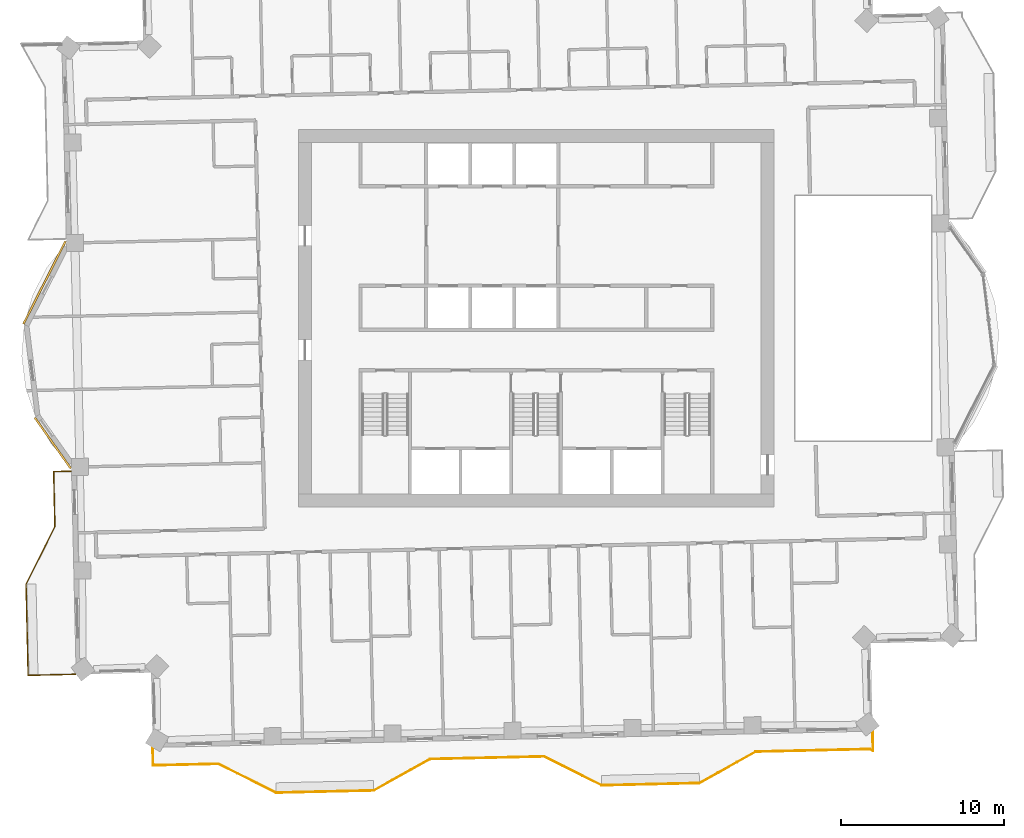
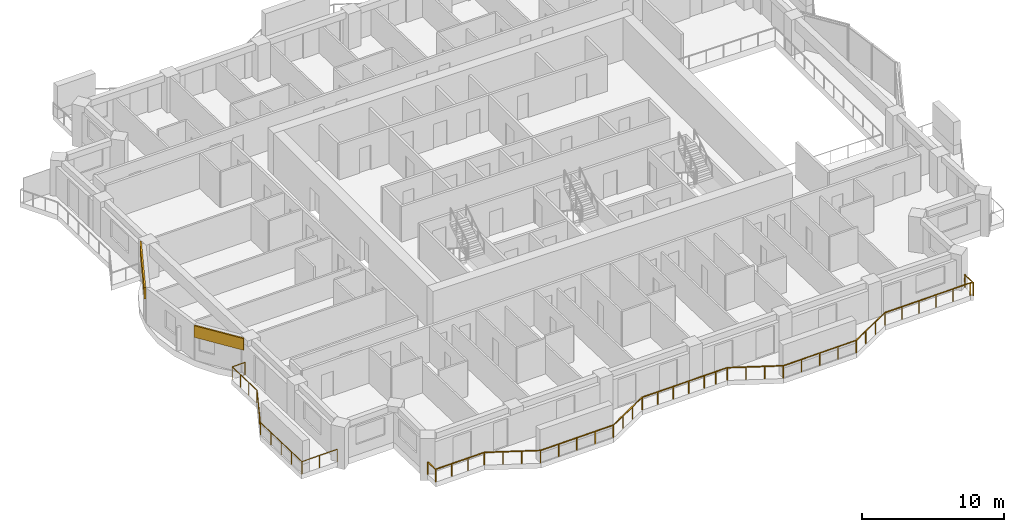
# One storey, part 14 of 17: 2 coverings, 2 railings.
"""IFC4 building model written with IfcOpenShell, lengths in metres."""

from ifc_helpers import new_model, si_unit, direction, frame, frame_2d, origin, origin_2d, place, context, subcontext, project, spatial, rectangle, extrude, material, layer, layer_set, type_object, element, save


model = new_model("IFC4")

# Units and contexts
model_context = context("Model", 3, precision=1e-05, world=origin(), true_north=direction((0.0, 1.0)))
body_context = subcontext(model_context, "Body", "Model", "MODEL_VIEW")
ifc_project = project(units=[si_unit("LENGTHUNIT", "METRE"), si_unit("AREAUNIT", "SQUARE_METRE"), si_unit("VOLUMEUNIT", "CUBIC_METRE"), si_unit("PLANEANGLEUNIT", "RADIAN"), si_unit("MASSUNIT", "GRAM", prefix="KILO")], contexts=[model_context])

# Site, building, storey
site_placement = place(None, origin())
site = spatial("IfcSite", under=ifc_project, at=site_placement, CompositionType="ELEMENT")
building_placement = place(site_placement, origin())
building = spatial("IfcBuilding", under=site, at=building_placement, Name="Mangrove Gate Tower", CompositionType="ELEMENT")
storey_placement = place(building_placement, frame((0.0, 0.0, 245.5)))
storey = spatial("IfcBuildingStorey", under=building, at=storey_placement, Name="L62", CompositionType="ELEMENT", Elevation=245.5)

# Railings
ifc_material_1 = material(Name="Stainless steel grade 316 with laminated glass infill", Category="steel")
railing_type = type_object("IfcRailingType", Name="Balcony guard 1100", PredefinedType="GUARDRAIL", material=ifc_material_1)
railing_1_placement = place(storey_placement, frame((-28.574951171875, -9.388916015625, 0.0)))
element("IfcRailing", 1, at=railing_1_placement, inside=storey, type_object=railing_type, Name="GUARD L62 W2", PredefinedType="GUARDRAIL", context=body_context, shape_type="SweptSolid", body=[
    extrude(rectangle(XDim=0.048095703125, YDim=0.048095703125, at=origin_2d()), frame((0.0, 0.0, 1.076171875), z_axis=(-0.999740168701, -0.022794628443, 0.0), x_axis=(0.022794628443, -0.999740168701, 0.0)), (0.0, 0.0, 1.0), 1.060302734375),
    extrude(rectangle(XDim=0.048095703125, YDim=0.048095703125, at=origin_2d()), frame((-1.06005859375, -0.024169921875, 1.076171875), z_axis=(0.022497922048, -0.999746889719, 0.0), x_axis=(0.999746889719, 0.022497922048, 0.0)), (0.0, 0.0, 1.0), 3.374755859375),
    extrude(rectangle(XDim=0.048095703125, YDim=0.048095703125, at=origin_2d()), frame((-0.984130859375, -3.398193359375, 1.076171875), z_axis=(-0.447139584658, -0.894464192593, 0.0), x_axis=(0.894464192593, -0.447139584658, 0.0)), (0.0, 0.0, 1.0), 3.95849609375),
    extrude(rectangle(XDim=0.048095703125, YDim=0.048095703125, at=origin_2d()), frame((-2.754150390625, -6.93896484375, 1.076171875), z_axis=(0.022711503163, -0.999742060546, 0.0), x_axis=(0.999742060546, 0.022711503163, 0.0)), (0.0, 0.0, 1.0), 5.6005859375),
    extrude(rectangle(XDim=0.048095703125, YDim=0.048095703125, at=origin_2d()), frame((-2.626953125, -12.5380859375, 1.076171875), z_axis=(0.999743521605, 0.022647097142, 0.0), x_axis=(-0.022647097142, 0.999743521605, 0.0)), (0.0, 0.0, 1.0), 2.91064453125),
    extrude(rectangle(XDim=0.0419921875, YDim=0.0419921875, at=origin_2d()), origin(), (0.0, 0.0, 1.0), 1.052001953125),
    extrude(rectangle(XDim=0.0419921875, YDim=0.0419921875, at=origin_2d()), frame((-1.06005859375, -0.024169921875, 0.0)), (0.0, 0.0, 1.0), 1.052001953125),
    extrude(rectangle(XDim=0.0419921875, YDim=0.0419921875, at=origin_2d()), frame((-1.03466796875, -1.14892578125, 0.0)), (0.0, 0.0, 1.0), 1.052001953125),
    extrude(rectangle(XDim=0.0419921875, YDim=0.0419921875, at=origin_2d()), frame((-1.009521484375, -2.2734375, 0.0)), (0.0, 0.0, 1.0), 1.052001953125),
    extrude(rectangle(XDim=0.0419921875, YDim=0.0419921875, at=origin_2d()), frame((-0.984130859375, -3.398193359375, 0.0)), (0.0, 0.0, 1.0), 1.052001953125),
    extrude(rectangle(XDim=0.0419921875, YDim=0.0419921875, at=origin_2d()), frame((-1.57421875, -4.578369140625, 0.0)), (0.0, 0.0, 1.0), 1.052001953125),
    extrude(rectangle(XDim=0.0419921875, YDim=0.0419921875, at=origin_2d()), frame((-2.1640625, -5.7587890625, 0.0)), (0.0, 0.0, 1.0), 1.052001953125),
    extrude(rectangle(XDim=0.0419921875, YDim=0.0419921875, at=origin_2d()), frame((-2.754150390625, -6.93896484375, 0.0)), (0.0, 0.0, 1.0), 1.052001953125),
    extrude(rectangle(XDim=0.0419921875, YDim=0.0419921875, at=origin_2d()), frame((-2.722412109375, -8.3388671875, 0.0)), (0.0, 0.0, 1.0), 1.052001953125),
    extrude(rectangle(XDim=0.0419921875, YDim=0.0419921875, at=origin_2d()), frame((-2.6904296875, -9.738525390625, 0.0)), (0.0, 0.0, 1.0), 1.052001953125),
    extrude(rectangle(XDim=0.0419921875, YDim=0.0419921875, at=origin_2d()), frame((-2.65869140625, -11.13818359375, 0.0)), (0.0, 0.0, 1.0), 1.052001953125),
    extrude(rectangle(XDim=0.0419921875, YDim=0.0419921875, at=origin_2d()), frame((-2.626953125, -12.5380859375, 0.0)), (0.0, 0.0, 1.0), 1.052001953125),
    extrude(rectangle(XDim=0.0419921875, YDim=0.0419921875, at=origin_2d()), frame((-1.171875, -12.505126953125, 0.0)), (0.0, 0.0, 1.0), 1.052001953125),
    extrude(rectangle(XDim=0.0419921875, YDim=0.0419921875, at=origin_2d()), frame((0.282958984375, -12.47216796875, 0.0)), (0.0, 0.0, 1.0), 1.052001953125),
])
railing_2_placement = place(storey_placement, frame((-23.548095703125, -26.39404296875, 0.0)))
element("IfcRailing", 2, at=railing_2_placement, inside=storey, type_object=railing_type, Name="GUARD L62 S1", PredefinedType="GUARDRAIL", context=body_context, shape_type="SweptSolid", body=[
    extrude(rectangle(XDim=0.048095703125, YDim=0.048095703125, at=origin_2d()), frame((0.0, 0.0, 1.076171875), z_axis=(0.022794628443, -0.999740168701, 0.0), x_axis=(0.999740168701, 0.022794628443, 0.0)), (0.0, 0.0, 1.0), 1.060302734375),
    extrude(rectangle(XDim=0.048095703125, YDim=0.048095703125, at=origin_2d()), frame((0.024169921875, -1.06005859375, 1.076171875), z_axis=(0.999741331636, 0.022743566522, 0.0), x_axis=(-0.022743566522, 0.999741331636, 0.0)), (0.0, 0.0, 1.0), 4.00390625),
    extrude(rectangle(XDim=0.048095703125, YDim=0.048095703125, at=origin_2d()), frame((4.027099609375, -0.968994140625, 1.076171875), z_axis=(0.894476522376, -0.447114919141, 0.0), x_axis=(0.447114919141, 0.894476522376, 0.0)), (0.0, 0.0, 1.0), 3.958740234375),
    extrude(rectangle(XDim=0.048095703125, YDim=0.048095703125, at=origin_2d()), frame((7.568115234375, -2.739013671875, 1.076171875), z_axis=(0.999743094499, 0.022665943652, 0.0), x_axis=(-0.022665943652, 0.999743094499, 0.0)), (0.0, 0.0, 1.0), 5.99951171875),
    extrude(rectangle(XDim=0.048095703125, YDim=0.048095703125, at=origin_2d()), frame((13.566162109375, -2.60302734375, 1.076171875), z_axis=(0.87325689943, 0.48726008209, 0.0), x_axis=(-0.48726008209, 0.87325689943, 0.0)), (0.0, 0.0, 1.0), 3.958740234375),
    extrude(rectangle(XDim=0.048095703125, YDim=0.048095703125, at=origin_2d()), frame((17.023193359375, -0.674072265625, 1.076171875), z_axis=(0.999744718868, 0.022594182777, 0.0), x_axis=(-0.022594182777, 0.999744718868, 0.0)), (0.0, 0.0, 1.0), 5.10009765625),
    extrude(rectangle(XDim=0.048095703125, YDim=0.048095703125, at=origin_2d()), frame((22.1220703125, -0.558837890625, 1.076171875), z_axis=(0.999732670567, 0.023121146178, 0.0), x_axis=(-0.023121146178, 0.999732670567, 0.0)), (0.0, 0.0, 1.0), 1.900634765625),
    extrude(rectangle(XDim=0.048095703125, YDim=0.048095703125, at=origin_2d()), frame((24.022216796875, -0.514892578125, 1.076171875), z_axis=(0.894365514875, -0.447336926491, 0.0), x_axis=(0.447336926491, 0.894365514875, 0.0)), (0.0, 0.0, 1.0), 3.958984375),
    extrude(rectangle(XDim=0.048095703125, YDim=0.048095703125, at=origin_2d()), frame((27.56298828125, -2.285888671875, 1.076171875), z_axis=(0.999739392852, 0.022828630714, 0.0), x_axis=(-0.022828630714, 0.999739392852, 0.0)), (0.0, 0.0, 1.0), 5.99951171875),
    extrude(rectangle(XDim=0.048095703125, YDim=0.048095703125, at=origin_2d()), frame((33.56103515625, -2.14892578125, 1.076171875), z_axis=(0.873361856081, 0.487071933437, 0.0), x_axis=(-0.487071933437, 0.873361856081, 0.0)), (0.0, 0.0, 1.0), 3.958251953125),
    extrude(rectangle(XDim=0.048095703125, YDim=0.048095703125, at=origin_2d()), frame((37.01806640625, -0.220947265625, 1.076171875), z_axis=(0.999742195543, 0.022705559911, 0.0), x_axis=(-0.022705559911, 0.999742195543, 0.0)), (0.0, 0.0, 1.0), 6.999755859375),
    extrude(rectangle(XDim=0.048095703125, YDim=0.048095703125, at=origin_2d()), frame((44.01611328125, -0.06201171875, 1.076171875), z_axis=(0.895270190441, -0.445523608922, 0.0), x_axis=(0.445523608922, 0.895270190441, 0.0)), (0.0, 0.0, 1.0), 0.231201171875),
    extrude(rectangle(XDim=0.048095703125, YDim=0.048095703125, at=origin_2d()), frame((44.22314453125, -0.1650390625, 1.076171875), z_axis=(-0.023196098183, 0.999730934316, 0.0), x_axis=(-0.999730934316, -0.023196098183, 0.0)), (0.0, 0.0, 1.0), 1.168212890625),
    extrude(rectangle(XDim=0.0419921875, YDim=0.0419921875, at=origin_2d()), origin(), (0.0, 0.0, 1.0), 1.052001953125),
    extrude(rectangle(XDim=0.0419921875, YDim=0.0419921875, at=origin_2d()), frame((0.024169921875, -1.06005859375, 0.0)), (0.0, 0.0, 1.0), 1.052001953125),
    extrude(rectangle(XDim=0.0419921875, YDim=0.0419921875, at=origin_2d()), frame((1.3583984375, -1.02978515625, 0.0)), (0.0, 0.0, 1.0), 1.052001953125),
    extrude(rectangle(XDim=0.0419921875, YDim=0.0419921875, at=origin_2d()), frame((2.69287109375, -0.999267578125, 0.0)), (0.0, 0.0, 1.0), 1.052001953125),
    extrude(rectangle(XDim=0.0419921875, YDim=0.0419921875, at=origin_2d()), frame((4.027099609375, -0.968994140625, 0.0)), (0.0, 0.0, 1.0), 1.052001953125),
    extrude(rectangle(XDim=0.0419921875, YDim=0.0419921875, at=origin_2d()), frame((5.20751953125, -1.55908203125, 0.0)), (0.0, 0.0, 1.0), 1.052001953125),
    extrude(rectangle(XDim=0.0419921875, YDim=0.0419921875, at=origin_2d()), frame((6.3876953125, -2.14892578125, 0.0)), (0.0, 0.0, 1.0), 1.052001953125),
    extrude(rectangle(XDim=0.0419921875, YDim=0.0419921875, at=origin_2d()), frame((7.568115234375, -2.739013671875, 0.0)), (0.0, 0.0, 1.0), 1.052001953125),
    extrude(rectangle(XDim=0.0419921875, YDim=0.0419921875, at=origin_2d()), frame((9.067626953125, -2.705078125, 0.0)), (0.0, 0.0, 1.0), 1.052001953125),
    extrude(rectangle(XDim=0.0419921875, YDim=0.0419921875, at=origin_2d()), frame((10.567138671875, -2.6708984375, 0.0)), (0.0, 0.0, 1.0), 1.052001953125),
    extrude(rectangle(XDim=0.0419921875, YDim=0.0419921875, at=origin_2d()), frame((12.066650390625, -2.636962890625, 0.0)), (0.0, 0.0, 1.0), 1.052001953125),
    extrude(rectangle(XDim=0.0419921875, YDim=0.0419921875, at=origin_2d()), frame((13.566162109375, -2.60302734375, 0.0)), (0.0, 0.0, 1.0), 1.052001953125),
    extrude(rectangle(XDim=0.0419921875, YDim=0.0419921875, at=origin_2d()), frame((14.718505859375, -1.9599609375, 0.0)), (0.0, 0.0, 1.0), 1.052001953125),
    extrude(rectangle(XDim=0.0419921875, YDim=0.0419921875, at=origin_2d()), frame((15.870849609375, -1.317138671875, 0.0)), (0.0, 0.0, 1.0), 1.052001953125),
    extrude(rectangle(XDim=0.0419921875, YDim=0.0419921875, at=origin_2d()), frame((17.023193359375, -0.674072265625, 0.0)), (0.0, 0.0, 1.0), 1.052001953125),
    extrude(rectangle(XDim=0.0419921875, YDim=0.0419921875, at=origin_2d()), frame((18.2978515625, -0.645263671875, 0.0)), (0.0, 0.0, 1.0), 1.052001953125),
    extrude(rectangle(XDim=0.0419921875, YDim=0.0419921875, at=origin_2d()), frame((19.57275390625, -0.616455078125, 0.0)), (0.0, 0.0, 1.0), 1.052001953125),
    extrude(rectangle(XDim=0.0419921875, YDim=0.0419921875, at=origin_2d()), frame((20.847412109375, -0.587646484375, 0.0)), (0.0, 0.0, 1.0), 1.052001953125),
    extrude(rectangle(XDim=0.0419921875, YDim=0.0419921875, at=origin_2d()), frame((22.1220703125, -0.558837890625, 0.0)), (0.0, 0.0, 1.0), 1.052001953125),
    extrude(rectangle(XDim=0.0419921875, YDim=0.0419921875, at=origin_2d()), frame((23.072265625, -0.536865234375, 0.0)), (0.0, 0.0, 1.0), 1.052001953125),
    extrude(rectangle(XDim=0.0419921875, YDim=0.0419921875, at=origin_2d()), frame((24.022216796875, -0.514892578125, 0.0)), (0.0, 0.0, 1.0), 1.052001953125),
    extrude(rectangle(XDim=0.0419921875, YDim=0.0419921875, at=origin_2d()), frame((25.202392578125, -1.105224609375, 0.0)), (0.0, 0.0, 1.0), 1.052001953125),
    extrude(rectangle(XDim=0.0419921875, YDim=0.0419921875, at=origin_2d()), frame((26.3828125, -1.695556640625, 0.0)), (0.0, 0.0, 1.0), 1.052001953125),
    extrude(rectangle(XDim=0.0419921875, YDim=0.0419921875, at=origin_2d()), frame((27.56298828125, -2.285888671875, 0.0)), (0.0, 0.0, 1.0), 1.052001953125),
    extrude(rectangle(XDim=0.0419921875, YDim=0.0419921875, at=origin_2d()), frame((29.0625, -2.251708984375, 0.0)), (0.0, 0.0, 1.0), 1.052001953125),
    extrude(rectangle(XDim=0.0419921875, YDim=0.0419921875, at=origin_2d()), frame((30.56201171875, -2.21728515625, 0.0)), (0.0, 0.0, 1.0), 1.052001953125),
    extrude(rectangle(XDim=0.0419921875, YDim=0.0419921875, at=origin_2d()), frame((32.0615234375, -2.18310546875, 0.0)), (0.0, 0.0, 1.0), 1.052001953125),
    extrude(rectangle(XDim=0.0419921875, YDim=0.0419921875, at=origin_2d()), frame((33.56103515625, -2.14892578125, 0.0)), (0.0, 0.0, 1.0), 1.052001953125),
    extrude(rectangle(XDim=0.0419921875, YDim=0.0419921875, at=origin_2d()), frame((34.71337890625, -1.50634765625, 0.0)), (0.0, 0.0, 1.0), 1.052001953125),
    extrude(rectangle(XDim=0.0419921875, YDim=0.0419921875, at=origin_2d()), frame((35.86572265625, -0.863525390625, 0.0)), (0.0, 0.0, 1.0), 1.052001953125),
    extrude(rectangle(XDim=0.0419921875, YDim=0.0419921875, at=origin_2d()), frame((37.01806640625, -0.220947265625, 0.0)), (0.0, 0.0, 1.0), 1.052001953125),
    extrude(rectangle(XDim=0.0419921875, YDim=0.0419921875, at=origin_2d()), frame((38.417724609375, -0.189208984375, 0.0)), (0.0, 0.0, 1.0), 1.052001953125),
    extrude(rectangle(XDim=0.0419921875, YDim=0.0419921875, at=origin_2d()), frame((39.8173828125, -0.157470703125, 0.0)), (0.0, 0.0, 1.0), 1.052001953125),
    extrude(rectangle(XDim=0.0419921875, YDim=0.0419921875, at=origin_2d()), frame((41.216796875, -0.12548828125, 0.0)), (0.0, 0.0, 1.0), 1.052001953125),
    extrude(rectangle(XDim=0.0419921875, YDim=0.0419921875, at=origin_2d()), frame((42.616455078125, -0.09375, 0.0)), (0.0, 0.0, 1.0), 1.052001953125),
    extrude(rectangle(XDim=0.0419921875, YDim=0.0419921875, at=origin_2d()), frame((44.01611328125, -0.06201171875, 0.0)), (0.0, 0.0, 1.0), 1.052001953125),
    extrude(rectangle(XDim=0.0419921875, YDim=0.0419921875, at=origin_2d()), frame((44.22314453125, -0.1650390625, 0.0)), (0.0, 0.0, 1.0), 1.052001953125),
    extrude(rectangle(XDim=0.0419921875, YDim=0.0419921875, at=origin_2d()), frame((44.196044921875, 1.0029296875, 0.0)), (0.0, 0.0, 1.0), 1.052001953125),
])

# Coverings
ifc_material_2 = material(Name="Limestone", Category="masonry")
ifc_layer_1 = layer(ifc_material_2, 0.0400390625, Name="Limestone cladding")
ifc_material_3 = material(Name="Stainless steel anchors and cavity", Category="steel")
ifc_layer_2 = layer(ifc_material_3, 0.080078125, Name="Fixing cavity")
ifc_layer_set = layer_set([ifc_layer_1, ifc_layer_2], Name="Joint fascia cladding 120")
covering_type = type_object("IfcCoveringType", Name="Joint fascia cladding 120", PredefinedType="CLADDING", material=ifc_layer_set)
covering_1_placement = place(storey_placement, frame((-28.906005859375, 4.732177734375, 2.050048828125), z_axis=(0.0, 0.0, 1.0), x_axis=(-0.452597611153, -0.891714866074, 0.0)))
element("IfcCovering", 3, at=covering_1_placement, inside=storey, type_object=covering_type, Name="STONE FASCIA L62 W9.L1", PredefinedType="CLADDING", context=body_context, shape_type="SweptSolid", body=[
    extrude(rectangle(XDim=5.704833984375, YDim=0.1201171875, at=frame_2d((2.8525390625, 0.0))), origin(), (0.0, 0.0, 1.0), 1.0),
])
covering_2_placement = place(storey_placement, frame((-30.791015625, -6.10302734375, 2.050048828125), z_axis=(0.0, 0.0, 1.0), x_axis=(0.578168098379, -0.815917673553, 0.0)))
element("IfcCovering", 4, at=covering_2_placement, inside=storey, type_object=covering_type, Name="STONE FASCIA L62 W9.L2", PredefinedType="CLADDING", context=body_context, shape_type="SweptSolid", body=[
    extrude(rectangle(XDim=3.819091796875, YDim=0.1201171875, at=frame_2d((1.90966796875, 0.0))), origin(), (0.0, 0.0, 1.0), 1.0),
])

save(model, "model.ifc")
